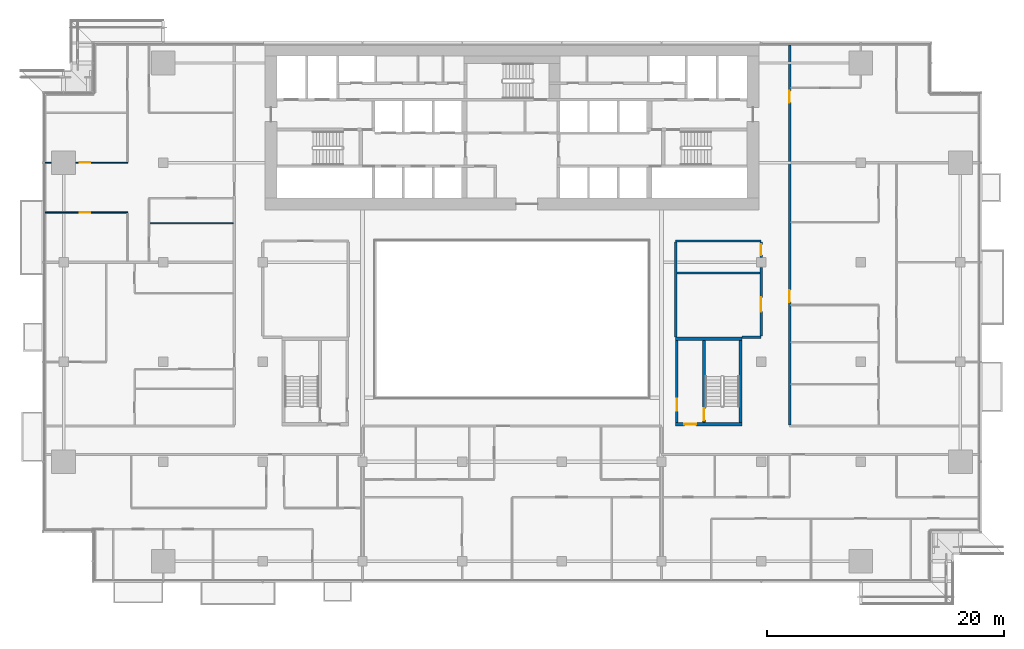
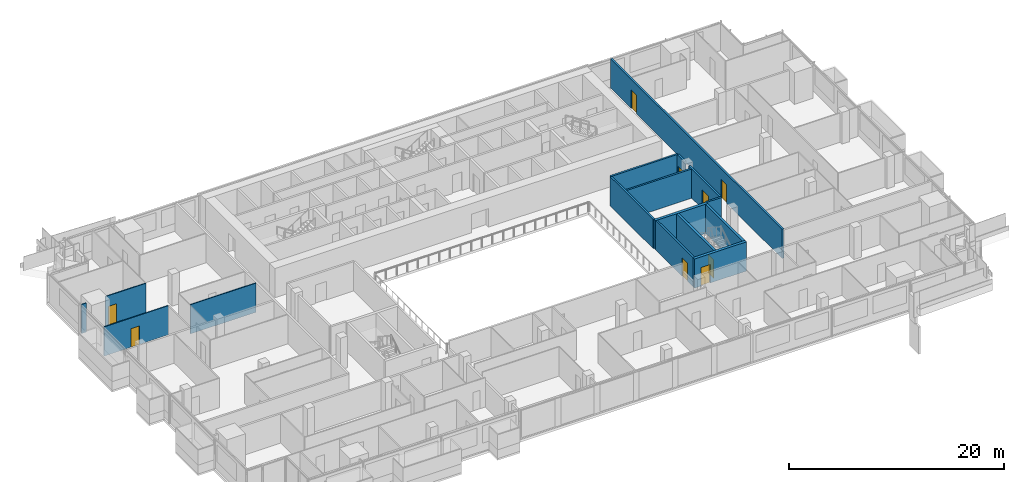
# One storey, part 19 of 29: 16 walls, 9 doors, 9 openings.
"""IFC4 building model written with IfcOpenShell, lengths in metres."""

from ifc_helpers import new_model, si_unit, direction, frame, frame_2d, origin, place, context, subcontext, project, spatial, rectangle, extrude, material, layer, layer_set, type_object, element, fill, save


model = new_model("IFC4")

# Units and contexts
model_context = context("Model", 3, precision=1e-05, world=origin(), true_north=direction((0.0, 1.0)))
body_context = subcontext(model_context, "Body", "Model", "MODEL_VIEW")
ifc_project = project(units=[si_unit("LENGTHUNIT", "METRE"), si_unit("AREAUNIT", "SQUARE_METRE"), si_unit("VOLUMEUNIT", "CUBIC_METRE"), si_unit("PLANEANGLEUNIT", "RADIAN"), si_unit("MASSUNIT", "GRAM", prefix="KILO")], contexts=[model_context])

# Site, building, storey
site_placement = place(None, origin())
site = spatial("IfcSite", under=ifc_project, at=site_placement, CompositionType="ELEMENT")
building_placement = place(site_placement, origin())
building = spatial("IfcBuilding", under=site, at=building_placement, Name="Saffron Gate Tower", CompositionType="ELEMENT")
storey_placement = place(building_placement, frame((0.0, 0.0, 106.050048828125)))
storey = spatial("IfcBuildingStorey", under=building, at=storey_placement, Name="L24", CompositionType="ELEMENT", Elevation=106.050048828125)

# Wall, opening, door
ifc_material_1 = material(Name="Gypsum board partition on steel studs", Category="steel")
ifc_layer_1 = layer(ifc_material_1, 0.199951171875)
ifc_layer_set_1 = layer_set([ifc_layer_1], Name="CW10 Core partition 200")
wall_type_1 = type_object("IfcWallType", Name="CW10 Core partition 200", PredefinedType="PARTITIONING", material=ifc_layer_set_1)
wall_1_placement = place(storey_placement, frame((101.5, 43.5, 0.0), z_axis=(0.0, 0.0, 1.0), x_axis=(0.0, 1.0, 0.0)))
wall_1 = element("IfcWall", 1, at=wall_1_placement, inside=storey, type_object=wall_type_1, Name="Wall CW10-L24-E-2", PredefinedType="PARTITIONING", context=body_context, shape_type="SweptSolid", body=[
    extrude(rectangle(XDim=6.89990234375, YDim=0.199951171875, at=frame_2d((3.449951171875, 0.0))), origin(), (0.0, 0.0, 1.0), 3.320068359375),
])
opening_1_placement = place(wall_1_placement, frame((1.0, 0.0, 0.0)))
opening_1 = element("IfcOpeningElement", 2, at=opening_1_placement, cuts=wall_1, Name="Opening CR-22", PredefinedType="OPENING", context=body_context, shape_type="SweptSolid", body=[
    extrude(rectangle(XDim=1.0, YDim=2.10009765625, at=frame_2d((0.5, 1.050048828125))), frame((0.0, 0.10986328125, 0.0), z_axis=(0.0, -1.0, 0.0), x_axis=(1.0, 0.0, 0.0)), (0.0, 0.0, 1.0), 0.219970703125),
])
ifc_material_2 = material(Name="Steel fire door set", Category="steel")
door_type_1 = type_object("IfcDoorType", Name="CD4 Lobby door 1000x2100 EI 120", OperationType="NOTDEFINED", PredefinedType="DOOR", material=ifc_material_2)
door_1_placement = place(opening_1_placement, origin())
door_1 = element("IfcDoor", 3, at=door_1_placement, inside=storey, type_object=door_type_1, Name="DOOR CR-22", OperationType="SINGLE_SWING_LEFT", OverallHeight=2.10009765625, OverallWidth=1.0, PredefinedType="DOOR", context=body_context, shape_type="SweptSolid", body=[
    extrude(rectangle(XDim=1.0, YDim=2.10009765625, at=frame_2d((0.5, 1.050048828125))), frame((0.0, 0.02490234375, 0.0), z_axis=(0.0, -1.0, 0.0), x_axis=(1.0, 0.0, 0.0)), (0.0, 0.0, 1.0), 0.050048828125),
])
fill(opening_1, door_1)

ifc_material_3 = material(Name="Concrete C70", Category="concrete")
ifc_layer_2 = layer(ifc_material_3, 0.25)
ifc_layer_set_2 = layer_set([ifc_layer_2], Name="CW2 RC core wall 250 C70")
wall_type_2 = type_object("IfcWallType", Name="CW2 RC core wall 250 C70", PredefinedType="SOLIDWALL", material=ifc_layer_set_2)
wall_2_placement = place(storey_placement, frame((103.77490234375, 43.5, 0.0), z_axis=(0.0, 0.0, 1.0), x_axis=(0.0, 1.0, 0.0)))
wall_2 = element("IfcWall", 4, at=wall_2_placement, inside=storey, type_object=wall_type_2, Name="Wall CW2-L24-E-3", PredefinedType="SOLIDWALL", context=body_context, shape_type="SweptSolid", body=[
    extrude(rectangle(XDim=6.89990234375, YDim=0.25, at=frame_2d((3.449951171875, 0.0))), origin(), (0.0, 0.0, 1.0), 3.320068359375),
])
opening_2_placement = place(wall_2_placement, frame((0.199951171875, 0.0, 0.0)))
opening_2 = element("IfcOpeningElement", 5, at=opening_2_placement, cuts=wall_2, Name="Opening CR-23", PredefinedType="OPENING", context=body_context, shape_type="SweptSolid", body=[
    extrude(rectangle(XDim=1.0, YDim=2.10009765625, at=frame_2d((0.5, 1.050048828125))), frame((0.0, 0.135009765625, 0.0), z_axis=(0.0, -1.0, 0.0), x_axis=(1.0, 0.0, 0.0)), (0.0, 0.0, 1.0), 0.27001953125),
])
door_type_2 = type_object("IfcDoorType", Name="CD5 Stair door 1000x2100 EI 120", OperationType="NOTDEFINED", PredefinedType="DOOR", material=ifc_material_2)
door_2_placement = place(opening_2_placement, origin())
door_2 = element("IfcDoor", 6, at=door_2_placement, inside=storey, type_object=door_type_2, Name="DOOR CR-23", OperationType="SINGLE_SWING_RIGHT", OverallHeight=2.10009765625, OverallWidth=1.0, PredefinedType="DOOR", context=body_context, shape_type="SweptSolid", body=[
    extrude(rectangle(XDim=1.0, YDim=2.10009765625, at=frame_2d((0.5, 1.050048828125))), frame((0.0, 0.02490234375, 0.0), z_axis=(0.0, -1.0, 0.0), x_axis=(1.0, 0.0, 0.0)), (0.0, 0.0, 1.0), 0.050048828125),
])
fill(opening_2, door_2)

# Wall
wall_3_placement = place(storey_placement, frame((106.875, 43.5, 0.0), z_axis=(0.0, 0.0, 1.0), x_axis=(0.0, 1.0, 0.0)))
element("IfcWall", 7, at=wall_3_placement, inside=storey, type_object=wall_type_2, Name="Wall CW2-L24-E-4", PredefinedType="SOLIDWALL", context=body_context, shape_type="SweptSolid", body=[
    extrude(rectangle(XDim=6.89990234375, YDim=0.25, at=frame_2d((3.449951171875, 0.0))), origin(), (0.0, 0.0, 1.0), 3.320068359375),
])

# Wall, opening, door
ifc_layer_3 = layer(ifc_material_3, 0.300048828125)
ifc_layer_set_3 = layer_set([ifc_layer_3], Name="CW5 RC core wall 300 C70")
wall_type_3 = type_object("IfcWallType", Name="CW5 RC core wall 300 C70", PredefinedType="SOLIDWALL", material=ifc_layer_set_3)
wall_4_placement = place(storey_placement, frame((101.39990234375, 43.35009765625, 0.0), z_axis=(0.0, 0.0, 1.0), x_axis=(1.0, 0.0, 0.0)))
wall_4 = element("IfcWall", 8, at=wall_4_placement, inside=storey, type_object=wall_type_3, Name="Wall CW5-L24-E-1", PredefinedType="SOLIDWALL", context=body_context, shape_type="SweptSolid", body=[
    extrude(rectangle(XDim=5.60009765625, YDim=0.300048828125, at=frame_2d((2.800048828125, 0.0))), origin(), (0.0, 0.0, 1.0), 3.320068359375),
])
opening_3_placement = place(wall_4_placement, frame((0.72509765625, 0.0, 0.0)))
opening_3 = element("IfcOpeningElement", 9, at=opening_3_placement, cuts=wall_4, Name="Opening CR-21", PredefinedType="OPENING", context=body_context, shape_type="SweptSolid", body=[
    extrude(rectangle(XDim=1.0, YDim=2.10009765625, at=frame_2d((0.5, 1.050048828125))), frame((0.0, 0.16015625, 0.0), z_axis=(0.0, -1.0, 0.0), x_axis=(1.0, 0.0, 0.0)), (0.0, 0.0, 1.0), 0.320068359375),
])
door_3_placement = place(opening_3_placement, origin())
door_3 = element("IfcDoor", 10, at=door_3_placement, inside=storey, type_object=door_type_1, Name="DOOR CR-21", OperationType="SINGLE_SWING_RIGHT", OverallHeight=2.10009765625, OverallWidth=1.0, PredefinedType="DOOR", context=body_context, shape_type="SweptSolid", body=[
    extrude(rectangle(XDim=1.0, YDim=2.10009765625, at=frame_2d((0.5, 1.050048828125))), frame((0.0, 0.02490234375, 0.0), z_axis=(0.0, -1.0, 0.0), x_axis=(1.0, 0.0, 0.0)), (0.0, 0.0, 1.0), 0.050048828125),
])
fill(opening_3, door_3)

# Walls
wall_5_placement = place(storey_placement, frame((101.39990234375, 50.550048828125, 0.0), z_axis=(0.0, 0.0, 1.0), x_axis=(1.0, 0.0, 0.0)))
element("IfcWall", 11, at=wall_5_placement, inside=storey, type_object=wall_type_3, Name="Wall CW5-L24-E-5", PredefinedType="SOLIDWALL", context=body_context, shape_type="SweptSolid", body=[
    extrude(rectangle(XDim=5.60009765625, YDim=0.300048828125, at=frame_2d((2.800048828125, 0.0))), origin(), (0.0, 0.0, 1.0), 3.320068359375),
])
ifc_material_4 = material(Name="Plasterboard on steel studs", Category="steel")
ifc_layer_4 = layer(ifc_material_4, 0.10009765625)
ifc_layer_set_4 = layer_set([ifc_layer_4], Name="PW1 Partition 100")
wall_type_4 = type_object("IfcWallType", Name="PW1 Partition 100", PredefinedType="PARTITIONING", material=ifc_layer_set_4)
wall_6_placement = place(storey_placement, frame((57.050048828125, 60.300048828125, 0.0), z_axis=(0.0, 0.0, 1.0), x_axis=(1.0, 0.0, 0.0)))
element("IfcWall", 12, at=wall_6_placement, inside=storey, type_object=wall_type_4, Name="Partition B2-36", PredefinedType="PARTITIONING", context=body_context, shape_type="SweptSolid", body=[
    extrude(rectangle(XDim=7.050048828125, YDim=0.10009765625, at=frame_2d((3.52490234375, 0.0))), origin(), (0.0, 0.0, 1.0), 3.320068359375),
])

# Wall, opening, door
wall_7_placement = place(storey_placement, frame((55.199951171875, 61.199951171875, 0.0), z_axis=(0.0, 0.0, 1.0), x_axis=(-1.0, 0.0, 0.0)))
wall_7 = element("IfcWall", 13, at=wall_7_placement, inside=storey, type_object=wall_type_4, Name="Partition B2-38", PredefinedType="PARTITIONING", context=body_context, shape_type="SweptSolid", body=[
    extrude(rectangle(XDim=6.919921875, YDim=0.10009765625, at=frame_2d((3.4599609375, 0.0))), origin(), (0.0, 0.0, 1.0), 3.320068359375),
])
opening_4_placement = place(wall_7_placement, frame((3.14990234375, 0.0, 0.0)))
opening_4 = element("IfcOpeningElement", 14, at=opening_4_placement, cuts=wall_7, Name="Opening B2-26", PredefinedType="OPENING", context=body_context, shape_type="SweptSolid", body=[
    extrude(rectangle(XDim=0.89990234375, YDim=2.10009765625, at=frame_2d((0.449951171875, 1.050048828125))), frame((0.0, 0.06005859375, 0.0), z_axis=(0.0, -1.0, 0.0), x_axis=(1.0, 0.0, 0.0)), (0.0, 0.0, 1.0), 0.1201171875),
])
ifc_material_5 = material(Name="Timber door set", Category="wood")
door_type_3 = type_object("IfcDoorType", Name="RD1 Room door 900x2100", OperationType="NOTDEFINED", PredefinedType="DOOR", material=ifc_material_5)
door_4_placement = place(opening_4_placement, origin())
door_4 = element("IfcDoor", 15, at=door_4_placement, inside=storey, type_object=door_type_3, Name="Door B2-26", OperationType="SINGLE_SWING_RIGHT", OverallHeight=2.10009765625, OverallWidth=0.89990234375, PredefinedType="DOOR", context=body_context, shape_type="SweptSolid", body=[
    extrude(rectangle(XDim=0.89990234375, YDim=2.10009765625, at=frame_2d((0.449951171875, 1.050048828125))), frame((0.0, 0.02490234375, 0.0), z_axis=(0.0, -1.0, 0.0), x_axis=(1.0, 0.0, 0.0)), (0.0, 0.0, 1.0), 0.050048828125),
])
fill(opening_4, door_4)

# Wall
wall_8_placement = place(storey_placement, frame((48.280029296875, 65.39990234375, 0.0), z_axis=(0.0, 0.0, 1.0), x_axis=(1.0, 0.0, 0.0)))
element("IfcWall", 16, at=wall_8_placement, inside=storey, type_object=wall_type_4, Name="Partition B2-43", PredefinedType="PARTITIONING", context=body_context, shape_type="SweptSolid", body=[
    extrude(rectangle(XDim=0.5, YDim=0.10009765625, at=frame_2d((0.25, 0.0))), origin(), (0.0, 0.0, 1.0), 3.320068359375),
])

# Wall, opening, door
wall_9_placement = place(storey_placement, frame((50.820068359375, 65.39990234375, 0.0), z_axis=(0.0, 0.0, 1.0), x_axis=(1.0, 0.0, 0.0)))
wall_9 = element("IfcWall", 17, at=wall_9_placement, inside=storey, type_object=wall_type_4, Name="Partition B2-44", PredefinedType="PARTITIONING", context=body_context, shape_type="SweptSolid", body=[
    extrude(rectangle(XDim=4.3798828125, YDim=0.10009765625, at=frame_2d((2.18994140625, 0.0))), origin(), (0.0, 0.0, 1.0), 3.320068359375),
])
opening_5_placement = place(wall_9_placement, frame((0.330078125, 0.0, 0.0)))
opening_5 = element("IfcOpeningElement", 18, at=opening_5_placement, cuts=wall_9, Name="Opening B2-27", PredefinedType="OPENING", context=body_context, shape_type="SweptSolid", body=[
    extrude(rectangle(XDim=0.89990234375, YDim=2.10009765625, at=frame_2d((0.449951171875, 1.050048828125))), frame((0.0, 0.06005859375, 0.0), z_axis=(0.0, -1.0, 0.0), x_axis=(1.0, 0.0, 0.0)), (0.0, 0.0, 1.0), 0.1201171875),
])
door_5_placement = place(opening_5_placement, origin())
door_5 = element("IfcDoor", 19, at=door_5_placement, inside=storey, type_object=door_type_3, Name="Door B2-27", OperationType="SINGLE_SWING_LEFT", OverallHeight=2.10009765625, OverallWidth=0.89990234375, PredefinedType="DOOR", context=body_context, shape_type="SweptSolid", body=[
    extrude(rectangle(XDim=0.89990234375, YDim=2.10009765625, at=frame_2d((0.449951171875, 1.050048828125))), frame((0.0, 0.02490234375, 0.0), z_axis=(0.0, -1.0, 0.0), x_axis=(1.0, 0.0, 0.0)), (0.0, 0.0, 1.0), 0.050048828125),
])
fill(opening_5, door_5)

# Walls
ifc_material_6 = material(Name="Clay brick masonry, rendered", Category="masonry")
ifc_layer_5 = layer(ifc_material_6, 0.199951171875)
ifc_layer_set_5 = layer_set([ifc_layer_5], Name="PW3 Corridor wall 200")
wall_type_5 = type_object("IfcWallType", Name="PW3 Corridor wall 200", PredefinedType="PARTITIONING", material=ifc_layer_set_5)
wall_10_placement = place(storey_placement, frame((107.0, 50.699951171875, 0.0), z_axis=(0.0, 0.0, 1.0), x_axis=(1.0, 0.0, 0.0)))
element("IfcWall", 20, at=wall_10_placement, inside=storey, type_object=wall_type_5, Name="Wall B2-25", PredefinedType="PARTITIONING", context=body_context, shape_type="SweptSolid", body=[
    extrude(rectangle(XDim=1.60009765625, YDim=0.199951171875, at=frame_2d((0.800048828125, 0.0))), origin(), (0.0, 0.0, 1.0), 3.320068359375),
])
wall_11_placement = place(storey_placement, frame((101.39990234375, 58.800048828125, 0.0), z_axis=(0.0, 0.0, 1.0), x_axis=(1.0, 0.0, 0.0)))
element("IfcWall", 21, at=wall_11_placement, inside=storey, type_object=wall_type_5, Name="Wall B2-35", PredefinedType="PARTITIONING", context=body_context, shape_type="SweptSolid", body=[
    extrude(rectangle(XDim=7.2001953125, YDim=0.199951171875, at=frame_2d((3.60009765625, 0.0))), origin(), (0.0, 0.0, 1.0), 3.320068359375),
])
wall_12_placement = place(storey_placement, frame((101.39990234375, 58.699951171875, 0.0), z_axis=(0.0, 0.0, 1.0), x_axis=(0.0, -1.0, 0.0)))
element("IfcWall", 22, at=wall_12_placement, inside=storey, type_object=wall_type_5, Name="Wall B2-83", PredefinedType="PARTITIONING", context=body_context, shape_type="SweptSolid", body=[
    extrude(rectangle(XDim=8.0, YDim=0.199951171875, at=frame_2d((4.0, 0.0))), origin(), (0.0, 0.0, 1.0), 3.320068359375),
])

# Wall, opening, door
wall_13_placement = place(storey_placement, frame((108.60009765625, 50.800048828125, 0.0), z_axis=(0.0, 0.0, 1.0), x_axis=(0.0, 1.0, 0.0)))
wall_13 = element("IfcWall", 23, at=wall_13_placement, inside=storey, type_object=wall_type_5, Name="Wall B2-86", PredefinedType="PARTITIONING", context=body_context, shape_type="SweptSolid", body=[
    extrude(rectangle(XDim=5.780029296875, YDim=0.199951171875, at=frame_2d((2.89013671875, 0.0))), origin(), (0.0, 0.0, 1.0), 3.320068359375),
])
opening_6_placement = place(wall_13_placement, frame((2.050048828125, 0.0, 0.0)))
opening_6 = element("IfcOpeningElement", 24, at=opening_6_placement, cuts=wall_13, Name="Opening B2-48", PredefinedType="OPENING", context=body_context, shape_type="SweptSolid", body=[
    extrude(rectangle(XDim=1.199951171875, YDim=2.10009765625, at=frame_2d((0.60009765625, 1.050048828125))), frame((0.0, 0.10986328125, 0.0), z_axis=(0.0, -1.0, 0.0), x_axis=(1.0, 0.0, 0.0)), (0.0, 0.0, 1.0), 0.219970703125),
])
door_type_4 = type_object("IfcDoorType", Name="HD1 Hall door 1200x2100", OperationType="NOTDEFINED", PredefinedType="DOOR", material=ifc_material_5)
door_6_placement = place(opening_6_placement, origin())
door_6 = element("IfcDoor", 25, at=door_6_placement, inside=storey, type_object=door_type_4, Name="Door B2-48", OperationType="SINGLE_SWING_RIGHT", OverallHeight=2.10009765625, OverallWidth=1.199951171875, PredefinedType="DOOR", context=body_context, shape_type="SweptSolid", body=[
    extrude(rectangle(XDim=1.199951171875, YDim=2.10009765625, at=frame_2d((0.60009765625, 1.050048828125))), frame((0.0, 0.02490234375, 0.0), z_axis=(0.0, -1.0, 0.0), x_axis=(1.0, 0.0, 0.0)), (0.0, 0.0, 1.0), 0.050048828125),
])
fill(opening_6, door_6)

wall_14_placement = place(storey_placement, frame((108.60009765625, 57.419921875, 0.0), z_axis=(0.0, 0.0, 1.0), x_axis=(0.0, 1.0, 0.0)))
wall_14 = element("IfcWall", 26, at=wall_14_placement, inside=storey, type_object=wall_type_5, Name="Wall B2-87", PredefinedType="PARTITIONING", context=body_context, shape_type="SweptSolid", body=[
    extrude(rectangle(XDim=1.280029296875, YDim=0.199951171875, at=frame_2d((0.64013671875, 0.0))), origin(), (0.0, 0.0, 1.0), 3.320068359375),
])
opening_7_placement = place(wall_14_placement, frame((0.18994140625, 0.0, 0.0)))
opening_7 = element("IfcOpeningElement", 27, at=opening_7_placement, cuts=wall_14, Name="Opening B2-35", PredefinedType="OPENING", context=body_context, shape_type="SweptSolid", body=[
    extrude(rectangle(XDim=0.89990234375, YDim=2.10009765625, at=frame_2d((0.449951171875, 1.050048828125))), frame((0.0, 0.10986328125, 0.0), z_axis=(0.0, -1.0, 0.0), x_axis=(1.0, 0.0, 0.0)), (0.0, 0.0, 1.0), 0.219970703125),
])
door_7_placement = place(opening_7_placement, origin())
door_7 = element("IfcDoor", 28, at=door_7_placement, inside=storey, type_object=door_type_3, Name="Door B2-35", OperationType="SINGLE_SWING_RIGHT", OverallHeight=2.10009765625, OverallWidth=0.89990234375, PredefinedType="DOOR", context=body_context, shape_type="SweptSolid", body=[
    extrude(rectangle(XDim=0.89990234375, YDim=2.10009765625, at=frame_2d((0.449951171875, 1.050048828125))), frame((0.0, 0.02490234375, 0.0), z_axis=(0.0, -1.0, 0.0), x_axis=(1.0, 0.0, 0.0)), (0.0, 0.0, 1.0), 0.050048828125),
])
fill(opening_7, door_7)

# Wall, openings, doors
wall_15_placement = place(storey_placement, frame((111.0, 75.320068359375, 0.0), z_axis=(0.0, 0.0, 1.0), x_axis=(0.0, -1.0, 0.0)))
wall_15 = element("IfcWall", 29, at=wall_15_placement, inside=storey, type_object=wall_type_5, Name="Wall B2-89", PredefinedType="PARTITIONING", context=body_context, shape_type="SweptSolid", body=[
    extrude(rectangle(XDim=32.02001953125, YDim=0.199951171875, at=frame_2d((16.010009765625, 0.0))), origin(), (0.0, 0.0, 1.0), 3.320068359375),
])
opening_8_placement = place(wall_15_placement, frame((3.8701171875, 0.0, 0.0)))
opening_8 = element("IfcOpeningElement", 30, at=opening_8_placement, cuts=wall_15, Name="Opening B2-7", PredefinedType="OPENING", context=body_context, shape_type="SweptSolid", body=[
    extrude(rectangle(XDim=1.0, YDim=2.10009765625, at=frame_2d((0.5, 1.050048828125))), frame((0.0, 0.10986328125, 0.0), z_axis=(0.0, -1.0, 0.0), x_axis=(1.0, 0.0, 0.0)), (0.0, 0.0, 1.0), 0.219970703125),
])
opening_9_placement = place(wall_15_placement, frame((20.669921875, 0.0, 0.0)))
opening_9 = element("IfcOpeningElement", 31, at=opening_9_placement, cuts=wall_15, Name="Opening B2-6", PredefinedType="OPENING", context=body_context, shape_type="SweptSolid", body=[
    extrude(rectangle(XDim=1.0, YDim=2.10009765625, at=frame_2d((0.5, 1.050048828125))), frame((0.0, 0.10986328125, 0.0), z_axis=(0.0, -1.0, 0.0), x_axis=(1.0, 0.0, 0.0)), (0.0, 0.0, 1.0), 0.219970703125),
])
ifc_material_7 = material(Name="Timber fire door set", Category="wood")
door_type_5 = type_object("IfcDoorType", Name="FD1 Flat entry door 1000x2100", OperationType="NOTDEFINED", PredefinedType="DOOR", material=ifc_material_7)
door_8_placement = place(opening_8_placement, origin())
door_8 = element("IfcDoor", 32, at=door_8_placement, inside=storey, type_object=door_type_5, Name="Door B2-7", OperationType="SINGLE_SWING_RIGHT", OverallHeight=2.10009765625, OverallWidth=1.0, PredefinedType="DOOR", context=body_context, shape_type="SweptSolid", body=[
    extrude(rectangle(XDim=1.0, YDim=2.10009765625, at=frame_2d((0.5, 1.050048828125))), frame((0.0, 0.02490234375, 0.0), z_axis=(0.0, -1.0, 0.0), x_axis=(1.0, 0.0, 0.0)), (0.0, 0.0, 1.0), 0.050048828125),
])
fill(opening_8, door_8)
door_9_placement = place(opening_9_placement, origin())
door_9 = element("IfcDoor", 33, at=door_9_placement, inside=storey, type_object=door_type_5, Name="Door B2-6", OperationType="SINGLE_SWING_LEFT", OverallHeight=2.10009765625, OverallWidth=1.0, PredefinedType="DOOR", context=body_context, shape_type="SweptSolid", body=[
    extrude(rectangle(XDim=1.0, YDim=2.10009765625, at=frame_2d((0.5, 1.050048828125))), frame((0.0, 0.02490234375, 0.0), z_axis=(0.0, -1.0, 0.0), x_axis=(1.0, 0.0, 0.0)), (0.0, 0.0, 1.0), 0.050048828125),
])
fill(opening_9, door_9)

# Wall
ifc_layer_6 = layer(ifc_material_6, 0.199951171875)
ifc_layer_set_6 = layer_set([ifc_layer_6], Name="PW5 Room wall 200")
wall_type_6 = type_object("IfcWallType", Name="PW5 Room wall 200", PredefinedType="PARTITIONING", material=ifc_layer_set_6)
wall_16_placement = place(storey_placement, frame((101.5, 56.10009765625, 0.0), z_axis=(0.0, 0.0, 1.0), x_axis=(1.0, 0.0, 0.0)))
element("IfcWall", 34, at=wall_16_placement, inside=storey, type_object=wall_type_6, Name="Wall B2-28", PredefinedType="PARTITIONING", context=body_context, shape_type="SweptSolid", body=[
    extrude(rectangle(XDim=7.0, YDim=0.199951171875, at=frame_2d((3.5, 0.0))), origin(), (0.0, 0.0, 1.0), 3.320068359375),
])

save(model, "model.ifc")
